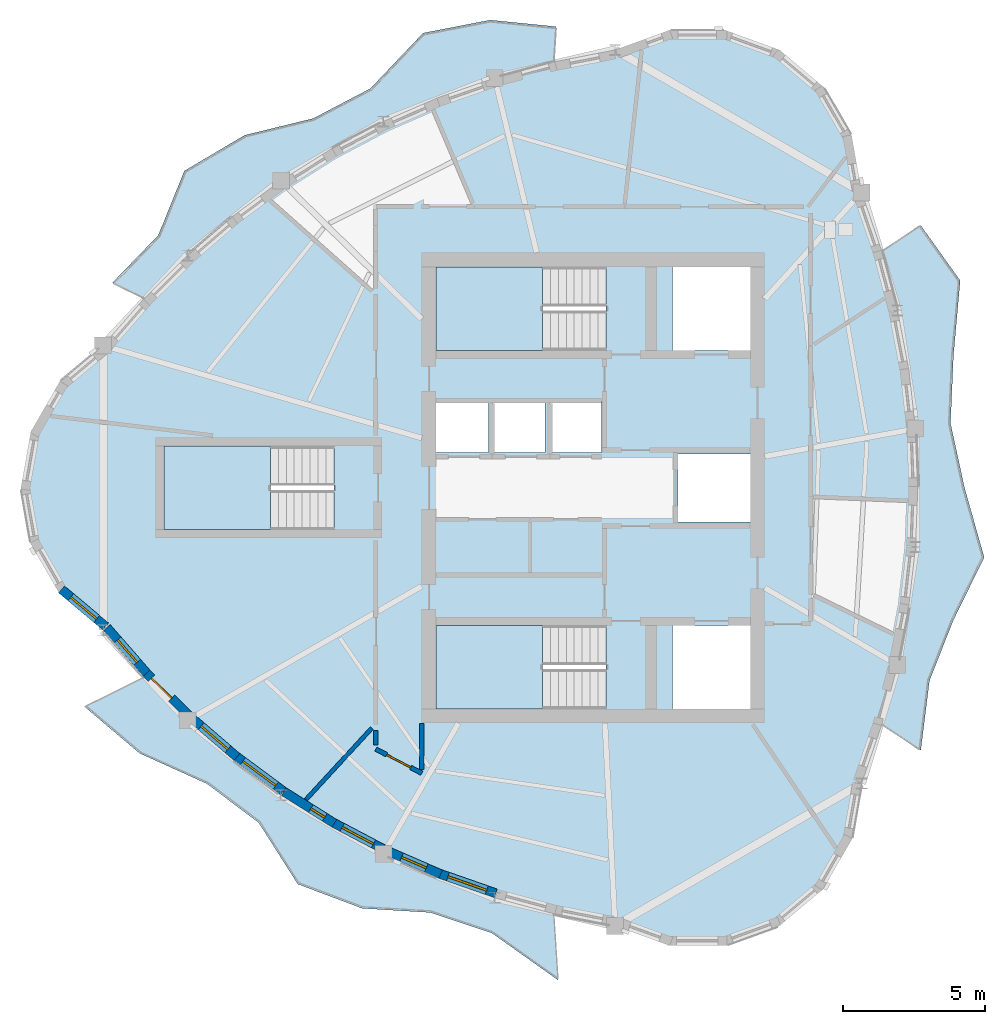
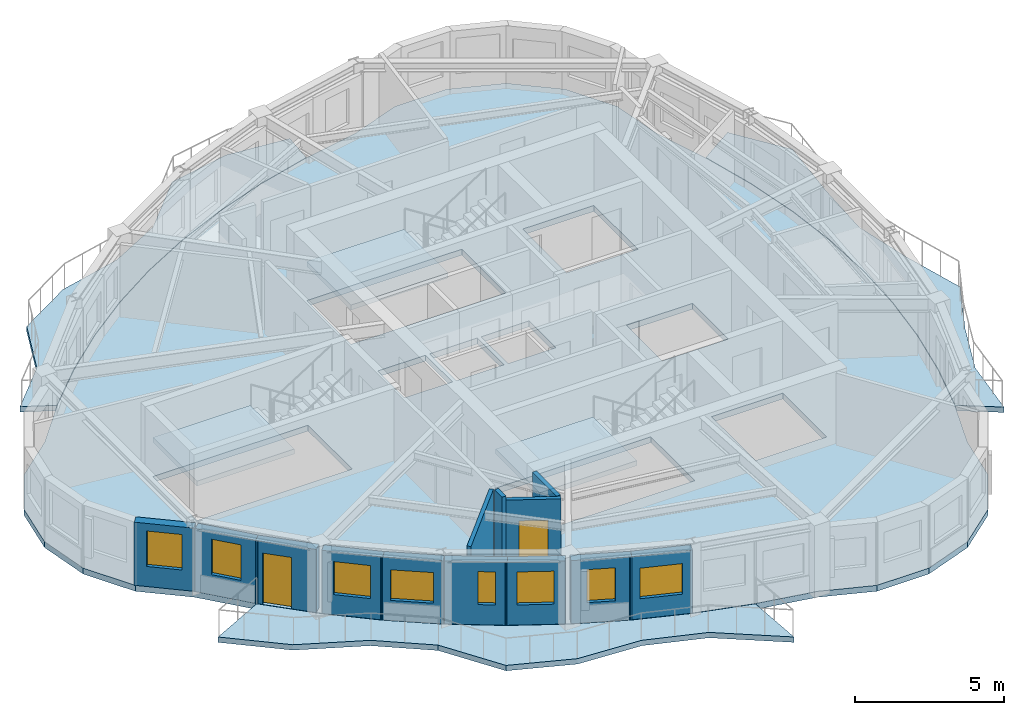
# One storey, part 2 of 11: 13 walls, 8 windows, 7 slabs, 2 doors, 10 openings, 3 elements without a shape of their own.
"""IFC4 building model written with IfcOpenShell, lengths in metres."""

from ifc_helpers import new_model, si_unit, direction, frame, frame_2d, origin, place, context, subcontext, project, spatial, polyline, rectangle, outline, extrude, source, transform, mapped, material, layer, layer_set, type_object, element, fill, aggregate, save


model = new_model("IFC4")

# Units and contexts
model_context = context("Model", 3, precision=1e-05, world=origin(), true_north=direction((0.0, 1.0)))
body_context = subcontext(model_context, "Body", "Model", "MODEL_VIEW")
ifc_project = project(units=[si_unit("LENGTHUNIT", "METRE"), si_unit("AREAUNIT", "SQUARE_METRE"), si_unit("VOLUMEUNIT", "CUBIC_METRE"), si_unit("PLANEANGLEUNIT", "RADIAN"), si_unit("MASSUNIT", "GRAM", prefix="KILO")], contexts=[model_context])

# Site, building, storey
site_placement = place(None, origin())
site = spatial("IfcSite", under=ifc_project, at=site_placement, CompositionType="ELEMENT")
building_placement = place(site_placement, origin())
building = spatial("IfcBuilding", under=site, at=building_placement, Name="Qafzar Sky-Pleat Residences", CompositionType="ELEMENT")
storey_placement = place(building_placement, frame((0.0, 0.0, 230.800048828125)))
storey = spatial("IfcBuildingStorey", under=building, at=storey_placement, Name="L69", CompositionType="ELEMENT", Elevation=230.800048828125)

# Slabs
ifc_material_1 = material(Name="Concrete C40/50", Category="concrete")
ifc_layer_1 = layer(ifc_material_1, 0.219970703125)
ifc_layer_set_1 = layer_set([ifc_layer_1], Name="Concrete C40/50")
slab_type_1 = type_object("IfcSlabType", Name="SLAB-BAL-220", PredefinedType="USERDEFINED", material=ifc_layer_set_1)
slab_1_placement = place(storey_placement, frame((0.0, 0.0, -0.219970703125)))
element("IfcSlab", 1, at=slab_1_placement, inside=storey, type_object=slab_type_1, Name="L69 Pleated Stone Balcony 1", ObjectType="BALCONY", PredefinedType="USERDEFINED", context=body_context, shape_type="SweptSolid", body=[
    extrude(outline(polyline([(41.101806640625, 19.736083984375), (41.498779296875, 21.823974609375), (41.737060546875, 23.911865234375), (41.81640625, 26.0), (41.737060546875, 28.088134765625), (41.498779296875, 30.176025390625), (41.101806640625, 32.263916015625), (40.5458984375, 34.3515625), (41.909423828125, 35.25927734375), (43.30126953125, 33.315673828125), (43.063720703125, 30.66015625), (42.9609375, 28.274169921875), (43.454345703125, 26.0), (44.1474609375, 23.54541015625), (43.063720703125, 21.33984375), (42.218505859375, 19.201904296875), (41.909423828125, 16.74072265625), (40.5458984375, 17.6484375), (41.101806640625, 19.736083984375)])), origin(), (0.0, 0.0, 1.0), 0.219970703125),
])
slab_2_placement = place(storey_placement, frame((0.0, 0.0, -0.219970703125)))
element("IfcSlab", 2, at=slab_2_placement, inside=storey, type_object=slab_type_1, Name="L69 Pleated Stone Balcony 2", ObjectType="BALCONY", PredefinedType="USERDEFINED", context=body_context, shape_type="SweptSolid", body=[
    extrude(outline(polyline([(26.873779296875, 40.478515625), (24.8671875, 39.7783203125), (22.939697265625, 38.940673828125), (21.091796875, 37.96533203125), (19.3232421875, 36.8525390625), (17.634033203125, 35.602294921875), (16.0244140625, 34.214599609375), (14.494140625, 32.689208984375), (13.385009765625, 33.23876953125), (15.00341796875, 34.914794921875), (15.924072265625, 37.186279296875), (18.050537109375, 38.4443359375), (20.472900390625, 39.03759765625), (22.489013671875, 40.09375), (24.350341796875, 42.051025390625), (26.7158203125, 42.51025390625), (29.03857421875, 42.276611328125), (28.959716796875, 41.041015625), (26.873779296875, 40.478515625)])), origin(), (0.0, 0.0, 1.0), 0.219970703125),
])
slab_3_placement = place(storey_placement, frame((0.0, 0.0, -0.219970703125)))
element("IfcSlab", 3, at=slab_3_placement, inside=storey, type_object=slab_type_1, Name="L69 Pleated Stone Balcony 3", ObjectType="BALCONY", PredefinedType="USERDEFINED", context=body_context, shape_type="SweptSolid", body=[
    extrude(outline(polyline([(16.0244140625, 17.785400390625), (17.634033203125, 16.397705078125), (19.3232421875, 15.1474609375), (21.091796875, 14.03466796875), (22.939697265625, 13.059326171875), (24.8671875, 12.2216796875), (26.873779296875, 11.521484375), (28.959716796875, 10.958984375), (29.108154296875, 8.6328125), (26.77783203125, 10.287353515625), (24.5927734375, 11.014404296875), (22.197509765625, 11.161376953125), (19.926513671875, 12.01611328125), (18.550048828125, 14.180419921875), (16.725830078125, 15.556396484375), (14.34375, 16.6328125), (12.405517578125, 18.276123046875), (14.494140625, 19.310791015625), (16.0244140625, 17.785400390625)])), origin(), (0.0, 0.0, 1.0), 0.219970703125),
])
ifc_layer_2 = layer(ifc_material_1, 0.239990234375)
ifc_layer_set_2 = layer_set([ifc_layer_2], Name="Concrete C40/50")
slab_type_2 = type_object("IfcSlabType", Name="SLAB-FLR-240", PredefinedType="FLOOR", material=ifc_layer_set_2)
slab_4_placement = place(storey_placement, frame((0.0, 0.0, -0.239990234375)))
element("IfcSlab", 4, at=slab_4_placement, inside=storey, type_object=slab_type_2, Name="L69 Structural Floor Slab", PredefinedType="FLOOR", context=body_context, shape_type="SweptSolid", body=[
    extrude(outline(polyline([(13.054931640625, 31.02294921875), (11.511962890625, 29.728271484375), (10.5048828125, 27.983642578125), (10.155029296875, 26.0), (10.5048828125, 24.016357421875), (11.511962890625, 22.271728515625), (13.054931640625, 20.97705078125), (14.5048828125, 19.31591796875), (16.0341796875, 17.792236328125), (17.642822265625, 16.406005859375), (19.330810546875, 15.15673828125), (21.097900390625, 14.044921875), (22.944091796875, 13.070556640625), (24.869873046875, 12.2333984375), (26.874755859375, 11.533447265625), (28.958984375, 10.970947265625), (31.12255859375, 10.5458984375), (33.015380859375, 9.856689453125), (35.02978515625, 9.856689453125), (36.922607421875, 10.5458984375), (38.465576171875, 11.840576171875), (39.47265625, 13.5849609375), (39.822509765625, 15.568603515625), (40.535888671875, 17.655029296875), (41.0908203125, 19.7412109375), (41.4873046875, 21.827392578125), (41.72509765625, 23.913818359375), (41.804443359375, 26.0), (41.72509765625, 28.086181640625), (41.4873046875, 30.172607421875), (41.0908203125, 32.2587890625), (40.535888671875, 34.344970703125), (39.822509765625, 36.431396484375), (39.47265625, 38.4150390625), (38.465576171875, 40.159423828125), (36.922607421875, 41.4541015625), (35.02978515625, 42.143310546875), (33.015380859375, 42.143310546875), (31.12255859375, 41.4541015625), (28.958984375, 41.029052734375), (26.874755859375, 40.466552734375), (24.869873046875, 39.7666015625), (22.944091796875, 38.929443359375), (21.097900390625, 37.955078125), (19.330810546875, 36.84326171875), (17.642822265625, 35.593994140625), (16.0341796875, 34.207763671875), (14.5048828125, 32.68408203125), (13.054931640625, 31.02294921875)]), holes=[polyline([(30.797119140625, 21.14990234375), (24.800048828125, 21.14990234375), (24.800048828125, 18.199951171875), (30.797119140625, 18.199951171875), (30.797119140625, 21.14990234375)]), polyline([(30.797119140625, 33.800048828125), (24.800048828125, 33.800048828125), (24.800048828125, 30.85009765625), (30.797119140625, 30.85009765625), (30.797119140625, 33.800048828125)]), polyline([(21.197021484375, 27.47509765625), (15.199951171875, 27.47509765625), (15.199951171875, 24.52490234375), (21.197021484375, 24.52490234375), (21.197021484375, 27.47509765625)]), polyline([(24.800048828125, 27.25), (26.64990234375, 27.25), (26.64990234375, 29.050048828125), (24.800048828125, 29.050048828125), (24.800048828125, 27.25)]), polyline([(26.800048828125, 27.25), (28.64990234375, 27.25), (28.64990234375, 29.050048828125), (26.800048828125, 29.050048828125), (26.800048828125, 27.25)]), polyline([(28.800048828125, 27.25), (30.64990234375, 27.25), (30.64990234375, 29.050048828125), (28.800048828125, 29.050048828125), (28.800048828125, 27.25)]), polyline([(33.14990234375, 18.199951171875), (35.89990234375, 18.199951171875), (35.89990234375, 21.14990234375), (33.14990234375, 21.14990234375), (33.14990234375, 18.199951171875)]), polyline([(33.14990234375, 30.85009765625), (35.89990234375, 30.85009765625), (35.89990234375, 33.800048828125), (33.14990234375, 33.800048828125), (33.14990234375, 30.85009765625)]), polyline([(33.35009765625, 24.800048828125), (35.89990234375, 24.800048828125), (35.89990234375, 27.199951171875), (33.35009765625, 27.199951171875), (33.35009765625, 24.800048828125)])]), origin(), (0.0, 0.0, 1.0), 0.239990234375),
])

# Stair, slab
stair_type = type_object("IfcStairType", Name="STAIR-H320", PredefinedType="HALF_TURN_STAIR", material=ifc_material_1)
stair_1_placement = place(storey_placement, origin())
stair_1 = element("IfcStair", 5, at=stair_1_placement, inside=storey, type_object=stair_type, Name="L69 Protected Exit Stair ST1", PredefinedType="HALF_TURN_STAIR")
ifc_layer_3 = layer(ifc_material_1, 0.199951171875)
ifc_layer_set_3 = layer_set([ifc_layer_3], Name="Concrete C40/50")
slab_type_3 = type_object("IfcSlabType", Name="SLAB-LANDING-200", PredefinedType="LANDING", material=ifc_layer_set_3)
slab_5_placement = place(storey_placement, frame((0.0, 0.0, 1.39990234375)))
slab_5 = element("IfcSlab", 6, at=slab_5_placement, type_object=slab_type_3, Name="ST1 landing 1", PredefinedType="LANDING", context=body_context, shape_type="SweptSolid", body=[
    extrude(outline(polyline([(28.56005859375, 21.14990234375), (24.800048828125, 21.14990234375), (24.800048828125, 18.199951171875), (28.56005859375, 18.199951171875), (28.56005859375, 21.14990234375)])), origin(), (0.0, 0.0, 1.0), 0.199951171875),
])
aggregate(stair_1, [slab_5])

stair_2_placement = place(storey_placement, origin())
stair_2 = element("IfcStair", 7, at=stair_2_placement, inside=storey, type_object=stair_type, Name="L69 Protected Exit Stair ST2", PredefinedType="HALF_TURN_STAIR")
slab_6_placement = place(storey_placement, frame((0.0, 0.0, 1.39990234375)))
slab_6 = element("IfcSlab", 8, at=slab_6_placement, type_object=slab_type_3, Name="ST2 landing 1", PredefinedType="LANDING", context=body_context, shape_type="SweptSolid", body=[
    extrude(outline(polyline([(28.56005859375, 33.800048828125), (24.800048828125, 33.800048828125), (24.800048828125, 30.85009765625), (28.56005859375, 30.85009765625), (28.56005859375, 33.800048828125)])), origin(), (0.0, 0.0, 1.0), 0.199951171875),
])
aggregate(stair_2, [slab_6])

stair_3_placement = place(storey_placement, origin())
stair_3 = element("IfcStair", 9, at=stair_3_placement, inside=storey, type_object=stair_type, Name="L69 Protected Exit Stair ST3", PredefinedType="HALF_TURN_STAIR")
slab_7_placement = place(storey_placement, frame((0.0, 0.0, 1.39990234375)))
slab_7 = element("IfcSlab", 10, at=slab_7_placement, type_object=slab_type_3, Name="ST3 landing 1", PredefinedType="LANDING", context=body_context, shape_type="SweptSolid", body=[
    extrude(outline(polyline([(18.9599609375, 27.47509765625), (15.199951171875, 27.47509765625), (15.199951171875, 24.52490234375), (18.9599609375, 24.52490234375), (18.9599609375, 27.47509765625)])), origin(), (0.0, 0.0, 1.0), 0.199951171875),
])
aggregate(stair_3, [slab_7])

# Wall, opening, door
ifc_material_2 = material(Name="Acoustic gypsum plasterboard partition", Category="gypsum")
ifc_layer_4 = layer(ifc_material_2, 0.159912109375)
ifc_layer_set_4 = layer_set([ifc_layer_4], Name="Acoustic gypsum plasterboard partition")
wall_type_1 = type_object("IfcWallType", Name="PART-COR-160", PredefinedType="PARTITIONING", material=ifc_layer_set_4)
wall_1_placement = place(storey_placement, frame((22.679931640625, 16.782958984375, 0.0), z_axis=(0.0, 0.0, 1.0), x_axis=(0.884403090344, -0.466723873174, 0.0)))
wall_1 = element("IfcWall", 11, at=wall_1_placement, inside=storey, type_object=wall_type_1, Name="L69 Partition Wall PART-L69-PW-008", PredefinedType="PARTITIONING", context=body_context, shape_type="SweptSolid", body=[
    extrude(rectangle(XDim=1.831787109375, YDim=0.159912109375, at=frame_2d((0.916015625, 0.0))), origin(), (0.0, 0.0, 1.0), 2.9599609375),
])
opening_1_placement = place(wall_1_placement, frame((0.435791015625, 0.0, 0.0)))
opening_1 = element("IfcOpeningElement", 12, at=opening_1_placement, cuts=wall_1, Name="Opening ID-06", PredefinedType="OPENING", context=body_context, shape_type="SweptSolid", body=[
    extrude(rectangle(XDim=0.9599609375, YDim=2.10009765625, at=frame_2d((0.47998046875, 1.050048828125))), frame((0.0, 0.08984375, 0.0), z_axis=(0.0, -1.0, 0.0), x_axis=(1.0, 0.0, 0.0)), (0.0, 0.0, 1.0), 0.179931640625),
])
ifc_material_3 = material(Name="Timber-faced fire door", Category="wood")
door_type_1 = type_object("IfcDoorType", Name="DR-STD-960", OperationType="NOTDEFINED", PredefinedType="DOOR", material=ifc_material_3)
shared_shape_1 = source(origin(), body_context, "Body", "SweptSolid", [
    extrude(rectangle(XDim=0.9599609375, YDim=2.10009765625, at=frame_2d((0.47998046875, 1.050048828125))), frame((0.0, 0.02490234375, 0.0), z_axis=(0.0, -1.0, 0.0), x_axis=(1.0, 0.0, 0.0)), (0.0, 0.0, 1.0), 0.050048828125),
])
door_1_placement = place(opening_1_placement, origin())
door_1 = element("IfcDoor", 13, at=door_1_placement, inside=storey, type_object=door_type_1, Name="L69 Scholar Co-Working Workspace Door", OperationType="SINGLE_SWING_LEFT", OverallHeight=2.10009765625, OverallWidth=0.9599609375, PredefinedType="DOOR", context=body_context, shape_type="MappedRepresentation", body=[
    mapped(shared_shape_1, transform((0.0, 0.0, 0.0), x_axis=(1.0, 0.0, 0.0), y_axis=(0.0, 1.0, 0.0), z_axis=(0.0, 0.0, 1.0), scale=1.0)),
])
fill(opening_1, door_1)

# Walls
wall_2_placement = place(storey_placement, frame((24.300048828125, 16.068603515625, 0.0), z_axis=(0.0, 0.0, 1.0), x_axis=(0.0, 1.0, 0.0)))
element("IfcWall", 14, at=wall_2_placement, inside=storey, type_object=wall_type_1, Name="L69 Partition Wall PART-L69-PW-021", PredefinedType="PARTITIONING", context=body_context, shape_type="SweptSolid", body=[
    extrude(rectangle(XDim=1.623291015625, YDim=0.159912109375, at=frame_2d((0.8115234375, 0.0))), origin(), (0.0, 0.0, 1.0), 2.9599609375),
])
wall_3_placement = place(storey_placement, frame((22.679931640625, 16.923583984375, 0.0), z_axis=(0.0, 0.0, 1.0), x_axis=(0.0, 1.0, 0.0)))
element("IfcWall", 15, at=wall_3_placement, inside=storey, type_object=wall_type_1, Name="L69 Partition Wall PART-L69-PW-028", PredefinedType="PARTITIONING", context=body_context, shape_type="SweptSolid", body=[
    extrude(rectangle(XDim=0.5126953125, YDim=0.159912109375, at=frame_2d((0.25634765625, 0.0))), origin(), (0.0, 0.0, 1.0), 2.9599609375),
])
ifc_layer_5 = layer(ifc_material_2, 0.14501953125)
ifc_layer_set_5 = layer_set([ifc_layer_5], Name="Acoustic gypsum plasterboard partition")
wall_type_2 = type_object("IfcWallType", Name="PART-UNIT-145", PredefinedType="PARTITIONING", material=ifc_layer_set_5)
wall_4_placement = place(storey_placement, frame((20.21728515625, 15.001953125, 0.0), z_axis=(0.0, 0.0, 1.0), x_axis=(0.677579120291, 0.735449886631, 0.0)))
element("IfcWall", 16, at=wall_4_placement, inside=storey, type_object=wall_type_2, Name="L69 Partition Wall PART-L69-PW-016", PredefinedType="PARTITIONING", context=body_context, shape_type="SweptSolid", body=[
    extrude(rectangle(XDim=3.429931640625, YDim=0.14501953125, at=frame_2d((1.71484375, 0.0))), origin(), (0.0, 0.0, 1.0), 2.9599609375),
])

# Wall, opening, window
ifc_material_4 = material(Name="Precast concrete C40/50 with honed Riyadh limestone", Category="concrete")
ifc_layer_6 = layer(ifc_material_4, 0.320068359375)
ifc_layer_set_6 = layer_set([ifc_layer_6], Name="Precast concrete C40/50 with honed Riyadh limestone")
wall_type_3 = type_object("IfcWallType", Name="WALL-EXT-320", PredefinedType="SOLIDWALL", material=ifc_layer_set_6)
wall_5_placement = place(storey_placement, frame((11.585693359375, 22.418701171875, 0.0), z_axis=(0.0, 0.0, 1.0), x_axis=(0.766099948115, -0.642721455608, 0.0)))
wall_5 = element("IfcWall", 17, at=wall_5_placement, inside=storey, type_object=wall_type_3, Name="L69 Limestone Facade Wall 6", PredefinedType="SOLIDWALL", context=body_context, shape_type="SweptSolid", body=[
    extrude(rectangle(XDim=2.0322265625, YDim=0.320068359375, at=frame_2d((1.01611328125, 0.0))), origin(), (0.0, 0.0, 1.0), 2.579833984375),
])
opening_2_placement = place(wall_5_placement, frame((0.42626953125, 0.0, 0.820068359375)))
opening_2 = element("IfcOpeningElement", 18, at=opening_2_placement, cuts=wall_5, Name="Opening WN-05", PredefinedType="OPENING", context=body_context, shape_type="SweptSolid", body=[
    extrude(rectangle(XDim=1.199951171875, YDim=1.449951171875, at=frame_2d((0.60009765625, 0.72509765625))), frame((0.0, 0.169921875, 0.0), z_axis=(0.0, -1.0, 0.0), x_axis=(1.0, 0.0, 0.0)), (0.0, 0.0, 1.0), 0.340087890625),
])
ifc_material_5 = material(Name="Solar-control low-E glass in bronze aluminium frame", Category="glass")
window_type_1 = type_object("IfcWindowType", Name="WIN-05", PartitioningType="SINGLE_PANEL", PredefinedType="WINDOW", material=ifc_material_5)
shared_shape_2 = source(origin(), body_context, "Body", "SweptSolid", [
    extrude(rectangle(XDim=1.199951171875, YDim=1.449951171875, at=frame_2d((0.60009765625, 0.72509765625))), frame((0.0, 0.030029296875, 0.0), z_axis=(0.0, -1.0, 0.0), x_axis=(1.0, 0.0, 0.0)), (0.0, 0.0, 1.0), 0.06005859375),
])
window_1_placement = place(opening_2_placement, origin())
window_1 = element("IfcWindow", 19, at=window_1_placement, inside=storey, type_object=window_type_1, Name="L69 Punched Facade Window 06", OverallHeight=1.449951171875, OverallWidth=1.199951171875, PartitioningType="SINGLE_PANEL", PredefinedType="WINDOW", context=body_context, shape_type="MappedRepresentation", body=[
    mapped(shared_shape_2, transform((0.0, 0.0, 0.0), x_axis=(1.0, 0.0, 0.0), y_axis=(0.0, 1.0, 0.0), z_axis=(0.0, 0.0, 1.0), scale=1.0)),
])
fill(opening_2, window_1)

wall_6_placement = place(storey_placement, frame((13.188720703125, 21.0673828125, 0.0), z_axis=(0.0, 0.0, 1.0), x_axis=(0.657539914165, -0.753419711236, 0.0)))
wall_6 = element("IfcWall", 20, at=wall_6_placement, inside=storey, type_object=wall_type_3, Name="L69 Limestone Facade Wall 7", PredefinedType="SOLIDWALL", context=body_context, shape_type="SweptSolid", body=[
    extrude(rectangle(XDim=2.222900390625, YDim=0.320068359375, at=frame_2d((1.111328125, 0.0))), origin(), (0.0, 0.0, 1.0), 2.579833984375),
])
opening_3_placement = place(wall_6_placement, frame((0.576416015625, 0.0, 0.820068359375)))
opening_3 = element("IfcOpeningElement", 21, at=opening_3_placement, cuts=wall_6, Name="Opening WN-06", PredefinedType="OPENING", context=body_context, shape_type="SweptSolid", body=[
    extrude(rectangle(XDim=1.050048828125, YDim=1.449951171875, at=frame_2d((0.52490234375, 0.72509765625))), frame((0.0, 0.169921875, 0.0), z_axis=(0.0, -1.0, 0.0), x_axis=(1.0, 0.0, 0.0)), (0.0, 0.0, 1.0), 0.340087890625),
])
window_type_2 = type_object("IfcWindowType", Name="WIN-06", PartitioningType="SINGLE_PANEL", PredefinedType="WINDOW", material=ifc_material_5)
shared_shape_3 = source(origin(), body_context, "Body", "SweptSolid", [
    extrude(rectangle(XDim=1.050048828125, YDim=1.449951171875, at=frame_2d((0.52490234375, 0.72509765625))), frame((0.0, 0.030029296875, 0.0), z_axis=(0.0, -1.0, 0.0), x_axis=(1.0, 0.0, 0.0)), (0.0, 0.0, 1.0), 0.06005859375),
])
window_2_placement = place(opening_3_placement, origin())
window_2 = element("IfcWindow", 22, at=window_2_placement, inside=storey, type_object=window_type_2, Name="L69 Punched Facade Window 07", OverallHeight=1.449951171875, OverallWidth=1.050048828125, PartitioningType="SINGLE_PANEL", PredefinedType="WINDOW", context=body_context, shape_type="MappedRepresentation", body=[
    mapped(shared_shape_3, transform((0.0, 0.0, 0.0), x_axis=(1.0, 0.0, 0.0), y_axis=(0.0, 1.0, 0.0), z_axis=(0.0, 0.0, 1.0), scale=1.0)),
])
fill(opening_3, window_2)

# Wall, opening, door
wall_7_placement = place(storey_placement, frame((14.591064453125, 19.456298828125, 0.0), z_axis=(0.0, 0.0, 1.0), x_axis=(0.708380322839, -0.705830941667, 0.0)))
wall_7 = element("IfcWall", 23, at=wall_7_placement, inside=storey, type_object=wall_type_3, Name="L69 Limestone Facade Wall 8", PredefinedType="SOLIDWALL", context=body_context, shape_type="SweptSolid", body=[
    extrude(rectangle(XDim=2.10693359375, YDim=0.320068359375, at=frame_2d((1.053466796875, 0.0))), origin(), (0.0, 0.0, 1.0), 2.579833984375),
])
opening_4_placement = place(wall_7_placement, frame((0.239990234375, 0.0, 0.0)))
opening_4 = element("IfcOpeningElement", 24, at=opening_4_placement, cuts=wall_7, Name="Opening ED-05", PredefinedType="OPENING", context=body_context, shape_type="SweptSolid", body=[
    extrude(rectangle(XDim=1.0, YDim=2.10009765625, at=frame_2d((0.5, 1.050048828125))), frame((0.0, 0.169921875, 0.0), z_axis=(0.0, -1.0, 0.0), x_axis=(1.0, 0.0, 0.0)), (0.0, 0.0, 1.0), 0.340087890625),
])
ifc_material_6 = material(Name="Glazed bronze aluminium door", Category="aluminium")
door_type_2 = type_object("IfcDoorType", Name="DR-BAL-1000", OperationType="NOTDEFINED", PredefinedType="DOOR", material=ifc_material_6)
shared_shape_4 = source(origin(), body_context, "Body", "SweptSolid", [
    extrude(rectangle(XDim=1.0, YDim=2.10009765625, at=frame_2d((0.5, 1.050048828125))), frame((0.0, 0.02490234375, 0.0), z_axis=(0.0, -1.0, 0.0), x_axis=(1.0, 0.0, 0.0)), (0.0, 0.0, 1.0), 0.050048828125),
])
door_2_placement = place(opening_4_placement, origin())
door_2 = element("IfcDoor", 25, at=door_2_placement, inside=storey, type_object=door_type_2, Name="L69 Glazed Balcony Door 3", OperationType="SINGLE_SWING_LEFT", OverallHeight=2.10009765625, OverallWidth=1.0, PredefinedType="DOOR", context=body_context, shape_type="MappedRepresentation", body=[
    mapped(shared_shape_4, transform((0.0, 0.0, 0.0), x_axis=(1.0, 0.0, 0.0), y_axis=(0.0, 1.0, 0.0), z_axis=(0.0, 0.0, 1.0), scale=1.0)),
])
fill(opening_4, door_2)

# Wall, opening, window
wall_8_placement = place(storey_placement, frame((16.206787109375, 17.854736328125, 0.0), z_axis=(0.0, 0.0, 1.0), x_axis=(0.757440107321, -0.652904651402, 0.0)))
wall_8 = element("IfcWall", 26, at=wall_8_placement, inside=storey, type_object=wall_type_3, Name="L69 Limestone Facade Wall 9", PredefinedType="SOLIDWALL", context=body_context, shape_type="SweptSolid", body=[
    extrude(rectangle(XDim=2.071533203125, YDim=0.320068359375, at=frame_2d((1.03564453125, 0.0))), origin(), (0.0, 0.0, 1.0), 2.579833984375),
])
opening_5_placement = place(wall_8_placement, frame((0.40576171875, 0.0, 0.820068359375)))
opening_5 = element("IfcOpeningElement", 27, at=opening_5_placement, cuts=wall_8, Name="Opening WN-11", PredefinedType="OPENING", context=body_context, shape_type="SweptSolid", body=[
    extrude(rectangle(XDim=1.25, YDim=1.35009765625, at=frame_2d((0.625, 0.675048828125))), frame((0.0, 0.169921875, 0.0), z_axis=(0.0, -1.0, 0.0), x_axis=(1.0, 0.0, 0.0)), (0.0, 0.0, 1.0), 0.340087890625),
])
window_type_3 = type_object("IfcWindowType", Name="WIN-11", PartitioningType="SINGLE_PANEL", PredefinedType="WINDOW", material=ifc_material_5)
shared_shape_5 = source(origin(), body_context, "Body", "SweptSolid", [
    extrude(rectangle(XDim=1.25, YDim=1.35009765625, at=frame_2d((0.625, 0.675048828125))), frame((0.0, 0.030029296875, 0.0), z_axis=(0.0, -1.0, 0.0), x_axis=(1.0, 0.0, 0.0)), (0.0, 0.0, 1.0), 0.06005859375),
])
window_3_placement = place(opening_5_placement, origin())
window_3 = element("IfcWindow", 28, at=window_3_placement, inside=storey, type_object=window_type_3, Name="L69 Punched Facade Window 09", OverallHeight=1.35009765625, OverallWidth=1.25, PartitioningType="SINGLE_PANEL", PredefinedType="WINDOW", context=body_context, shape_type="MappedRepresentation", body=[
    mapped(shared_shape_5, transform((0.0, 0.0, 0.0), x_axis=(1.0, 0.0, 0.0), y_axis=(0.0, 1.0, 0.0), z_axis=(0.0, 0.0, 1.0), scale=1.0)),
])
fill(opening_5, window_3)

wall_9_placement = place(storey_placement, frame((17.70751953125, 16.55712890625, 0.0), z_axis=(0.0, 0.0, 1.0), x_axis=(0.803843001641, -0.594841515627, 0.0)))
wall_9 = element("IfcWall", 29, at=wall_9_placement, inside=storey, type_object=wall_type_3, Name="L69 Limestone Facade Wall 10", PredefinedType="SOLIDWALL", context=body_context, shape_type="SweptSolid", body=[
    extrude(rectangle(XDim=2.117919921875, YDim=0.320068359375, at=frame_2d((1.05908203125, 0.0))), origin(), (0.0, 0.0, 1.0), 2.579833984375),
])
opening_6_placement = place(wall_9_placement, frame((0.343994140625, 0.0, 0.820068359375)))
opening_6 = element("IfcOpeningElement", 30, at=opening_6_placement, cuts=wall_9, Name="Opening WN-15", PredefinedType="OPENING", context=body_context, shape_type="SweptSolid", body=[
    extrude(rectangle(XDim=1.449951171875, YDim=1.25, at=frame_2d((0.72509765625, 0.625))), frame((0.0, 0.169921875, 0.0), z_axis=(0.0, -1.0, 0.0), x_axis=(1.0, 0.0, 0.0)), (0.0, 0.0, 1.0), 0.340087890625),
])
window_type_4 = type_object("IfcWindowType", Name="WIN-15", PartitioningType="SINGLE_PANEL", PredefinedType="WINDOW", material=ifc_material_5)
shared_shape_6 = source(origin(), body_context, "Body", "SweptSolid", [
    extrude(rectangle(XDim=1.449951171875, YDim=1.25, at=frame_2d((0.72509765625, 0.625))), frame((0.0, 0.030029296875, 0.0), z_axis=(0.0, -1.0, 0.0), x_axis=(1.0, 0.0, 0.0)), (0.0, 0.0, 1.0), 0.06005859375),
])
window_4_placement = place(opening_6_placement, origin())
window_4 = element("IfcWindow", 31, at=window_4_placement, inside=storey, type_object=window_type_4, Name="L69 Punched Facade Window 10", OverallHeight=1.25, OverallWidth=1.449951171875, PartitioningType="SINGLE_PANEL", PredefinedType="WINDOW", context=body_context, shape_type="MappedRepresentation", body=[
    mapped(shared_shape_6, transform((0.0, 0.0, 0.0), x_axis=(1.0, 0.0, 0.0), y_axis=(0.0, 1.0, 0.0), z_axis=(0.0, 0.0, 1.0), scale=1.0)),
])
fill(opening_6, window_4)

wall_10_placement = place(storey_placement, frame((19.432861328125, 15.281494140625, 0.0), z_axis=(0.0, 0.0, 1.0), x_axis=(0.84640512015, -0.532539550253, 0.0)))
wall_10 = element("IfcWall", 32, at=wall_10_placement, inside=storey, type_object=wall_type_3, Name="L69 Limestone Facade Wall 11", PredefinedType="SOLIDWALL", context=body_context, shape_type="SweptSolid", body=[
    extrude(rectangle(XDim=2.105712890625, YDim=0.320068359375, at=frame_2d((1.052734375, 0.0))), origin(), (0.0, 0.0, 1.0), 2.579833984375),
])
opening_7_placement = place(wall_10_placement, frame((1.126708984375, 0.0, 0.820068359375)))
opening_7 = element("IfcOpeningElement", 33, at=opening_7_placement, cuts=wall_10, Name="Opening WN-17", PredefinedType="OPENING", context=body_context, shape_type="SweptSolid", body=[
    extrude(rectangle(XDim=0.580078125, YDim=1.35009765625, at=frame_2d((0.2900390625, 0.675048828125))), frame((0.0, 0.169921875, 0.0), z_axis=(0.0, -1.0, 0.0), x_axis=(1.0, 0.0, 0.0)), (0.0, 0.0, 1.0), 0.340087890625),
])
window_type_5 = type_object("IfcWindowType", Name="WIN-17", PartitioningType="SINGLE_PANEL", PredefinedType="WINDOW", material=ifc_material_5)
shared_shape_7 = source(origin(), body_context, "Body", "SweptSolid", [
    extrude(rectangle(XDim=0.580078125, YDim=1.35009765625, at=frame_2d((0.2900390625, 0.675048828125))), frame((0.0, 0.030029296875, 0.0), z_axis=(0.0, -1.0, 0.0), x_axis=(1.0, 0.0, 0.0)), (0.0, 0.0, 1.0), 0.06005859375),
])
window_5_placement = place(opening_7_placement, origin())
window_5 = element("IfcWindow", 34, at=window_5_placement, inside=storey, type_object=window_type_5, Name="L69 Punched Facade Window 11-2", OverallHeight=1.35009765625, OverallWidth=0.580078125, PartitioningType="SINGLE_PANEL", PredefinedType="WINDOW", context=body_context, shape_type="MappedRepresentation", body=[
    mapped(shared_shape_7, transform((0.0, 0.0, 0.0), x_axis=(1.0, 0.0, 0.0), y_axis=(0.0, 1.0, 0.0), z_axis=(0.0, 0.0, 1.0), scale=1.0)),
])
fill(opening_7, window_5)

wall_11_placement = place(storey_placement, frame((21.138916015625, 14.2041015625, 0.0), z_axis=(0.0, 0.0, 1.0), x_axis=(0.884376501522, -0.466774253312, 0.0)))
wall_11 = element("IfcWall", 35, at=wall_11_placement, inside=storey, type_object=wall_type_3, Name="L69 Limestone Facade Wall 12", PredefinedType="SOLIDWALL", context=body_context, shape_type="SweptSolid", body=[
    extrude(rectangle(XDim=2.03564453125, YDim=0.320068359375, at=frame_2d((1.017822265625, 0.0))), origin(), (0.0, 0.0, 1.0), 2.579833984375),
])
opening_8_placement = place(wall_11_placement, frame((0.39794921875, 0.0, 0.820068359375)))
opening_8 = element("IfcOpeningElement", 36, at=opening_8_placement, cuts=wall_11, Name="Opening WN-11", PredefinedType="OPENING", context=body_context, shape_type="SweptSolid", body=[
    extrude(rectangle(XDim=1.25, YDim=1.35009765625, at=frame_2d((0.625, 0.675048828125))), frame((0.0, 0.169921875, 0.0), z_axis=(0.0, -1.0, 0.0), x_axis=(1.0, 0.0, 0.0)), (0.0, 0.0, 1.0), 0.340087890625),
])
window_6_placement = place(opening_8_placement, origin())
window_6 = element("IfcWindow", 37, at=window_6_placement, inside=storey, type_object=window_type_3, Name="L69 Punched Facade Window 12", OverallHeight=1.35009765625, OverallWidth=1.25, PartitioningType="SINGLE_PANEL", PredefinedType="WINDOW", context=body_context, shape_type="MappedRepresentation", body=[
    mapped(shared_shape_5, transform((0.0, 0.0, 0.0), x_axis=(1.0, 0.0, 0.0), y_axis=(0.0, 1.0, 0.0), z_axis=(0.0, 0.0, 1.0), scale=1.0)),
])
fill(opening_8, window_6)

wall_12_placement = place(storey_placement, frame((23.090576171875, 13.181396484375, 0.0), z_axis=(0.0, 0.0, 1.0), x_axis=(0.91708521945, -0.398691234249, 0.0)))
wall_12 = element("IfcWall", 38, at=wall_12_placement, inside=storey, type_object=wall_type_3, Name="L69 Limestone Facade Wall 13", PredefinedType="SOLIDWALL", context=body_context, shape_type="SweptSolid", body=[
    extrude(rectangle(XDim=2.047607421875, YDim=0.320068359375, at=frame_2d((1.02392578125, 0.0))), origin(), (0.0, 0.0, 1.0), 2.579833984375),
])
opening_9_placement = place(wall_12_placement, frame((0.543701171875, 0.0, 0.820068359375)))
opening_9 = element("IfcOpeningElement", 39, at=opening_9_placement, cuts=wall_12, Name="Opening WN-12", PredefinedType="OPENING", context=body_context, shape_type="SweptSolid", body=[
    extrude(rectangle(XDim=0.949951171875, YDim=1.35009765625, at=frame_2d((0.47509765625, 0.675048828125))), frame((0.0, 0.169921875, 0.0), z_axis=(0.0, -1.0, 0.0), x_axis=(1.0, 0.0, 0.0)), (0.0, 0.0, 1.0), 0.340087890625),
])
window_type_6 = type_object("IfcWindowType", Name="WIN-12", PartitioningType="SINGLE_PANEL", PredefinedType="WINDOW", material=ifc_material_5)
shared_shape_8 = source(origin(), body_context, "Body", "SweptSolid", [
    extrude(rectangle(XDim=0.949951171875, YDim=1.35009765625, at=frame_2d((0.47509765625, 0.675048828125))), frame((0.0, 0.030029296875, 0.0), z_axis=(0.0, -1.0, 0.0), x_axis=(1.0, 0.0, 0.0)), (0.0, 0.0, 1.0), 0.06005859375),
])
window_7_placement = place(opening_9_placement, origin())
window_7 = element("IfcWindow", 40, at=window_7_placement, inside=storey, type_object=window_type_6, Name="L69 Punched Facade Window 13", OverallHeight=1.35009765625, OverallWidth=0.949951171875, PartitioningType="SINGLE_PANEL", PredefinedType="WINDOW", context=body_context, shape_type="MappedRepresentation", body=[
    mapped(shared_shape_8, transform((0.0, 0.0, 0.0), x_axis=(1.0, 0.0, 0.0), y_axis=(0.0, 1.0, 0.0), z_axis=(0.0, 0.0, 1.0), scale=1.0)),
])
fill(opening_9, window_7)

wall_13_placement = place(storey_placement, frame((24.88671875, 12.39697265625, 0.0), z_axis=(0.0, 0.0, 1.0), x_axis=(0.944131729267, -0.329568320371, 0.0)))
wall_13 = element("IfcWall", 41, at=wall_13_placement, inside=storey, type_object=wall_type_3, Name="L69 Limestone Facade Wall 14", PredefinedType="SOLIDWALL", context=body_context, shape_type="SweptSolid", body=[
    extrude(rectangle(XDim=2.1416015625, YDim=0.320068359375, at=frame_2d((1.07080078125, 0.0))), origin(), (0.0, 0.0, 1.0), 2.579833984375),
])
opening_10_placement = place(wall_13_placement, frame((0.355712890625, 0.0, 0.820068359375)))
opening_10 = element("IfcOpeningElement", 42, at=opening_10_placement, cuts=wall_13, Name="Opening WN-15", PredefinedType="OPENING", context=body_context, shape_type="SweptSolid", body=[
    extrude(rectangle(XDim=1.449951171875, YDim=1.25, at=frame_2d((0.72509765625, 0.625))), frame((0.0, 0.169921875, 0.0), z_axis=(0.0, -1.0, 0.0), x_axis=(1.0, 0.0, 0.0)), (0.0, 0.0, 1.0), 0.340087890625),
])
window_8_placement = place(opening_10_placement, origin())
window_8 = element("IfcWindow", 43, at=window_8_placement, inside=storey, type_object=window_type_4, Name="L69 Punched Facade Window 14", OverallHeight=1.25, OverallWidth=1.449951171875, PartitioningType="SINGLE_PANEL", PredefinedType="WINDOW", context=body_context, shape_type="MappedRepresentation", body=[
    mapped(shared_shape_6, transform((0.0, 0.0, 0.0), x_axis=(1.0, 0.0, 0.0), y_axis=(0.0, 1.0, 0.0), z_axis=(0.0, 0.0, 1.0), scale=1.0)),
])
fill(opening_10, window_8)

save(model, "model.ifc")
